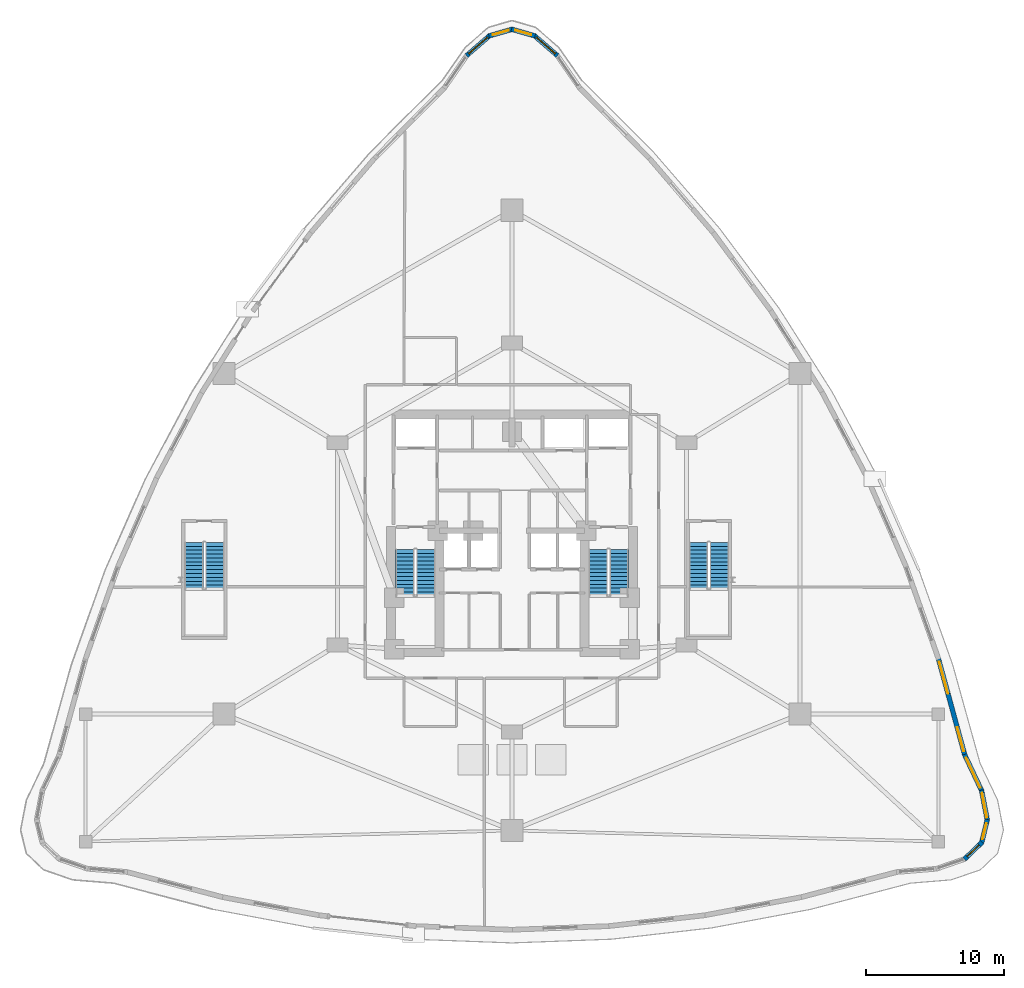
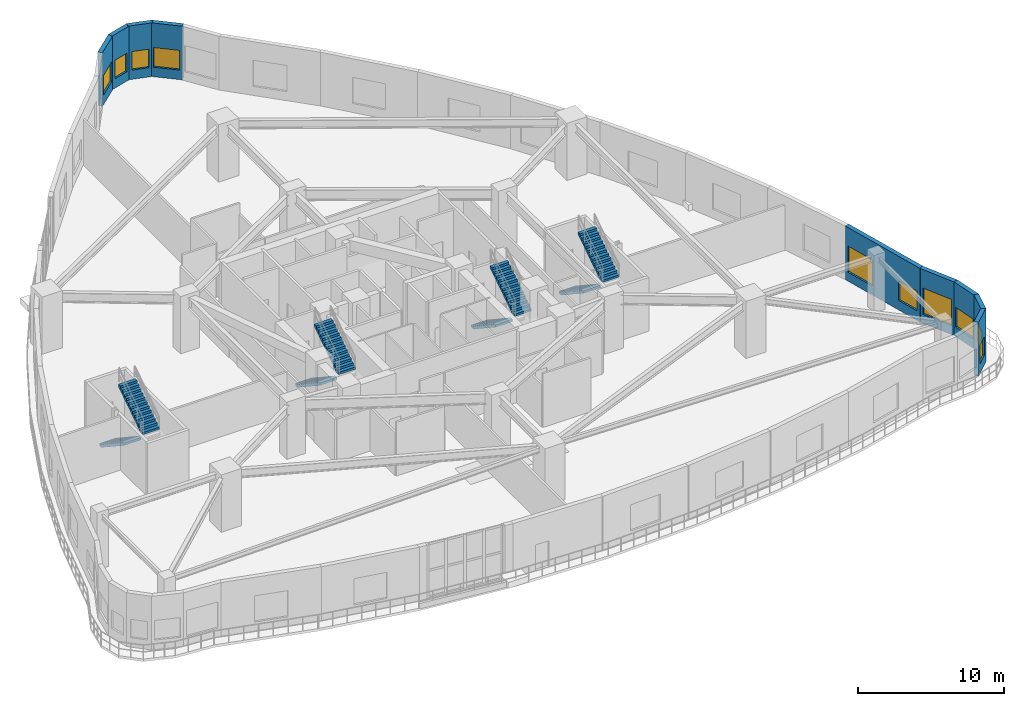
# One storey, part 19 of 23: 10 windows, 9 walls, 8 stair flights, 10 openings, 4 elements without a shape of their own.
"""IFC4 building model written with IfcOpenShell, lengths in metres."""

from ifc_helpers import new_model, si_unit, direction, frame, frame_2d, origin, place, context, subcontext, project, spatial, polyline, rectangle, outline, extrude, material, layer, layer_set, type_object, element, fill, aggregate, save


model = new_model("IFC4")

# Units and contexts
model_context = context("Model", 3, precision=1e-05, world=origin(), true_north=direction((0.0, 1.0)))
body_context = subcontext(model_context, "Body", "Model", "MODEL_VIEW")
ifc_project = project(units=[si_unit("LENGTHUNIT", "METRE"), si_unit("AREAUNIT", "SQUARE_METRE"), si_unit("VOLUMEUNIT", "CUBIC_METRE"), si_unit("PLANEANGLEUNIT", "RADIAN"), si_unit("MASSUNIT", "GRAM", prefix="KILO")], contexts=[model_context])

# Site, building, storey
site_placement = place(None, origin())
site = spatial("IfcSite", under=ifc_project, at=site_placement, CompositionType="ELEMENT")
building_placement = place(site_placement, origin())
building = spatial("IfcBuilding", under=site, at=building_placement, Name="Miruveldt Soraemaru", CompositionType="ELEMENT")
storey_placement = place(building_placement, frame((0.0, 0.0, 9.60009765625)))
storey = spatial("IfcBuildingStorey", under=building, at=storey_placement, Name="L03", CompositionType="ELEMENT", Elevation=9.60009765625)

# Wall, opening, window
ifc_material_1 = material(Name="Precast concrete C45/55 (45 MPa)", Category="concrete")
ifc_layer = layer(ifc_material_1, 0.340087890625, Name="Precast concrete C45/55 (45 MPa)", Category="concrete")
ifc_layer_set = layer_set([ifc_layer], Name="Precast concrete C45/55 (45 MPa)")
wall_type = type_object("IfcWallType", Name="WALL-EXT-PC340", PredefinedType="SOLIDWALL", material=ifc_layer_set)
wall_1_placement = place(storey_placement, frame((47.283935546875, 78.364990234375, 0.0), z_axis=(0.0, 0.0, 1.0), x_axis=(-0.755938883789, 0.654642195383, 0.0)))
wall_1 = element("IfcWall", 1, at=wall_1_placement, inside=storey, type_object=wall_type, Name="L03 Precast Concrete Facade Wall 2", PredefinedType="SOLIDWALL", context=body_context, shape_type="SweptSolid", body=[
    extrude(rectangle(XDim=2.224609375, YDim=0.340087890625, at=frame_2d((1.1123046875, 0.0))), origin(), (0.0, 0.0, 1.0), 4.5),
])
opening_1_placement = place(wall_1_placement, frame((0.212890625, 0.0, 0.800048828125)))
opening_1 = element("IfcOpeningElement", 2, at=opening_1_placement, cuts=wall_1, Name="Opening WN-2", PredefinedType="OPENING", context=body_context, shape_type="SweptSolid", body=[
    extrude(rectangle(XDim=1.800048828125, YDim=1.64990234375, at=frame_2d((0.89990234375, 0.824951171875))), frame((0.0, 0.18017578125, 0.0), z_axis=(0.0, -1.0, 0.0), x_axis=(1.0, 0.0, 0.0)), (0.0, 0.0, 1.0), 0.360107421875),
])
ifc_material_2 = material(Name="Triple low-e insulated glazing", Category="glass")
window_type_1 = type_object("IfcWindowType", Name="WIN-PUNCH-1800x1650", PartitioningType="SINGLE_PANEL", PredefinedType="WINDOW", material=ifc_material_2)
window_1_placement = place(opening_1_placement, origin())
window_1 = element("IfcWindow", 3, at=window_1_placement, inside=storey, type_object=window_type_1, Name="L03 Punched Triple-Glazed Window 02.1", OverallHeight=1.64990234375, OverallWidth=1.800048828125, PartitioningType="SINGLE_PANEL", PredefinedType="WINDOW", context=body_context, shape_type="SweptSolid", body=[
    extrude(rectangle(XDim=1.800048828125, YDim=1.64990234375, at=frame_2d((0.89990234375, 0.824951171875))), frame((0.0, 0.030029296875, 0.0), z_axis=(0.0, -1.0, 0.0), x_axis=(1.0, 0.0, 0.0)), (0.0, 0.0, 1.0), 0.06005859375),
])
fill(opening_1, window_1)

wall_2_placement = place(storey_placement, frame((45.662353515625, 79.78857421875, 0.0), z_axis=(0.0, 0.0, 1.0), x_axis=(-0.96074777297, 0.277423352897, 0.0)))
wall_2 = element("IfcWall", 4, at=wall_2_placement, inside=storey, type_object=wall_type, Name="L03 Precast Concrete Facade Wall 3", PredefinedType="SOLIDWALL", context=body_context, shape_type="SweptSolid", body=[
    extrude(rectangle(XDim=1.765380859375, YDim=0.340087890625, at=frame_2d((0.8828125, 0.0))), origin(), (0.0, 0.0, 1.0), 4.5),
])
opening_2_placement = place(wall_2_placement, frame((0.281982421875, 0.0, 0.780029296875)))
opening_2 = element("IfcOpeningElement", 5, at=opening_2_placement, cuts=wall_2, Name="Opening WN-4", PredefinedType="OPENING", context=body_context, shape_type="SweptSolid", body=[
    extrude(rectangle(XDim=1.199951171875, YDim=1.550048828125, at=frame_2d((0.60009765625, 0.77490234375))), frame((0.0, 0.18017578125, 0.0), z_axis=(0.0, -1.0, 0.0), x_axis=(1.0, 0.0, 0.0)), (0.0, 0.0, 1.0), 0.360107421875),
])
window_type_2 = type_object("IfcWindowType", Name="WIN-PUNCH-1200x1550", PartitioningType="SINGLE_PANEL", PredefinedType="WINDOW", material=ifc_material_2)
window_2_placement = place(opening_2_placement, origin())
window_2 = element("IfcWindow", 6, at=window_2_placement, inside=storey, type_object=window_type_2, Name="L03 Punched Triple-Glazed Window 03.1", OverallHeight=1.550048828125, OverallWidth=1.199951171875, PartitioningType="SINGLE_PANEL", PredefinedType="WINDOW", context=body_context, shape_type="SweptSolid", body=[
    extrude(rectangle(XDim=1.199951171875, YDim=1.550048828125, at=frame_2d((0.60009765625, 0.77490234375))), frame((0.0, 0.030029296875, 0.0), z_axis=(0.0, -1.0, 0.0), x_axis=(1.0, 0.0, 0.0)), (0.0, 0.0, 1.0), 0.06005859375),
])
fill(opening_2, window_2)

wall_3_placement = place(storey_placement, frame((44.03369140625, 80.2783203125, 0.0), z_axis=(0.0, 0.0, 1.0), x_axis=(-0.96074777297, -0.277423352897, 0.0)))
wall_3 = element("IfcWall", 7, at=wall_3_placement, inside=storey, type_object=wall_type, Name="L03 Precast Concrete Facade Wall 4", PredefinedType="SOLIDWALL", context=body_context, shape_type="SweptSolid", body=[
    extrude(rectangle(XDim=1.765380859375, YDim=0.340087890625, at=frame_2d((0.8828125, 0.0))), origin(), (0.0, 0.0, 1.0), 4.5),
])
opening_3_placement = place(wall_3_placement, frame((0.281982421875, 0.0, 0.780029296875)))
opening_3 = element("IfcOpeningElement", 8, at=opening_3_placement, cuts=wall_3, Name="Opening WN-4", PredefinedType="OPENING", context=body_context, shape_type="SweptSolid", body=[
    extrude(rectangle(XDim=1.199951171875, YDim=1.550048828125, at=frame_2d((0.60009765625, 0.77490234375))), frame((0.0, 0.18017578125, 0.0), z_axis=(0.0, -1.0, 0.0), x_axis=(1.0, 0.0, 0.0)), (0.0, 0.0, 1.0), 0.360107421875),
])
window_3_placement = place(opening_3_placement, origin())
window_3 = element("IfcWindow", 9, at=window_3_placement, inside=storey, type_object=window_type_2, Name="L03 Punched Triple-Glazed Window 04.1", OverallHeight=1.550048828125, OverallWidth=1.199951171875, PartitioningType="SINGLE_PANEL", PredefinedType="WINDOW", context=body_context, shape_type="SweptSolid", body=[
    extrude(rectangle(XDim=1.199951171875, YDim=1.550048828125, at=frame_2d((0.60009765625, 0.77490234375))), frame((0.0, 0.030029296875, 0.0), z_axis=(0.0, -1.0, 0.0), x_axis=(1.0, 0.0, 0.0)), (0.0, 0.0, 1.0), 0.06005859375),
])
fill(opening_3, window_3)

wall_4_placement = place(storey_placement, frame((42.397705078125, 79.8212890625, 0.0), z_axis=(0.0, 0.0, 1.0), x_axis=(-0.755938883789, -0.654642195383, 0.0)))
wall_4 = element("IfcWall", 10, at=wall_4_placement, inside=storey, type_object=wall_type, Name="L03 Precast Concrete Facade Wall 5", PredefinedType="SOLIDWALL", context=body_context, shape_type="SweptSolid", body=[
    extrude(rectangle(XDim=2.224609375, YDim=0.340087890625, at=frame_2d((1.1123046875, 0.0))), origin(), (0.0, 0.0, 1.0), 4.5),
])
opening_4_placement = place(wall_4_placement, frame((0.212890625, 0.0, 0.800048828125)))
opening_4 = element("IfcOpeningElement", 11, at=opening_4_placement, cuts=wall_4, Name="Opening WN-2", PredefinedType="OPENING", context=body_context, shape_type="SweptSolid", body=[
    extrude(rectangle(XDim=1.800048828125, YDim=1.64990234375, at=frame_2d((0.89990234375, 0.824951171875))), frame((0.0, 0.18017578125, 0.0), z_axis=(0.0, -1.0, 0.0), x_axis=(1.0, 0.0, 0.0)), (0.0, 0.0, 1.0), 0.360107421875),
])
window_4_placement = place(opening_4_placement, origin())
window_4 = element("IfcWindow", 12, at=window_4_placement, inside=storey, type_object=window_type_1, Name="L03 Punched Triple-Glazed Window 05.1", OverallHeight=1.64990234375, OverallWidth=1.800048828125, PartitioningType="SINGLE_PANEL", PredefinedType="WINDOW", context=body_context, shape_type="SweptSolid", body=[
    extrude(rectangle(XDim=1.800048828125, YDim=1.64990234375, at=frame_2d((0.89990234375, 0.824951171875))), frame((0.0, 0.030029296875, 0.0), z_axis=(0.0, -1.0, 0.0), x_axis=(1.0, 0.0, 0.0)), (0.0, 0.0, 1.0), 0.06005859375),
])
fill(opening_4, window_4)

wall_5_placement = place(storey_placement, frame((76.67431640625, 20.31591796875, 0.0), z_axis=(0.0, 0.0, 1.0), x_axis=(0.720463529959, 0.693492827648, 0.0)))
wall_5 = element("IfcWall", 13, at=wall_5_placement, inside=storey, type_object=wall_type, Name="L03 Precast Concrete Facade Wall 31", PredefinedType="SOLIDWALL", context=body_context, shape_type="SweptSolid", body=[
    extrude(rectangle(XDim=1.76513671875, YDim=0.340087890625, at=frame_2d((0.882568359375, 0.0))), origin(), (0.0, 0.0, 1.0), 4.5),
])
opening_5_placement = place(wall_5_placement, frame((0.281982421875, 0.0, 0.780029296875)))
opening_5 = element("IfcOpeningElement", 14, at=opening_5_placement, cuts=wall_5, Name="Opening WN-4", PredefinedType="OPENING", context=body_context, shape_type="SweptSolid", body=[
    extrude(rectangle(XDim=1.199951171875, YDim=1.550048828125, at=frame_2d((0.60009765625, 0.77490234375))), frame((0.0, 0.18017578125, 0.0), z_axis=(0.0, -1.0, 0.0), x_axis=(1.0, 0.0, 0.0)), (0.0, 0.0, 1.0), 0.360107421875),
])
window_5_placement = place(opening_5_placement, origin())
window_5 = element("IfcWindow", 15, at=window_5_placement, inside=storey, type_object=window_type_2, Name="L03 Punched Triple-Glazed Window 31.1", OverallHeight=1.550048828125, OverallWidth=1.199951171875, PartitioningType="SINGLE_PANEL", PredefinedType="WINDOW", context=body_context, shape_type="SweptSolid", body=[
    extrude(rectangle(XDim=1.199951171875, YDim=1.550048828125, at=frame_2d((0.60009765625, 0.77490234375))), frame((0.0, 0.030029296875, 0.0), z_axis=(0.0, -1.0, 0.0), x_axis=(1.0, 0.0, 0.0)), (0.0, 0.0, 1.0), 0.06005859375),
])
fill(opening_5, window_5)

wall_6_placement = place(storey_placement, frame((77.91259765625, 21.481689453125, 0.0), z_axis=(0.0, 0.0, 1.0), x_axis=(0.240094214254, 0.970749590925, 0.0)))
wall_6 = element("IfcWall", 16, at=wall_6_placement, inside=storey, type_object=wall_type, Name="L03 Precast Concrete Facade Wall 32", PredefinedType="SOLIDWALL", context=body_context, shape_type="SweptSolid", body=[
    extrude(rectangle(XDim=1.76513671875, YDim=0.340087890625, at=frame_2d((0.882568359375, 0.0))), origin(), (0.0, 0.0, 1.0), 4.5),
])
opening_6_placement = place(wall_6_placement, frame((0.281982421875, 0.0, 0.780029296875)))
opening_6 = element("IfcOpeningElement", 17, at=opening_6_placement, cuts=wall_6, Name="Opening WN-4", PredefinedType="OPENING", context=body_context, shape_type="SweptSolid", body=[
    extrude(rectangle(XDim=1.199951171875, YDim=1.550048828125, at=frame_2d((0.60009765625, 0.77490234375))), frame((0.0, 0.18017578125, 0.0), z_axis=(0.0, -1.0, 0.0), x_axis=(1.0, 0.0, 0.0)), (0.0, 0.0, 1.0), 0.360107421875),
])
window_6_placement = place(opening_6_placement, origin())
window_6 = element("IfcWindow", 18, at=window_6_placement, inside=storey, type_object=window_type_2, Name="L03 Punched Triple-Glazed Window 32.1", OverallHeight=1.550048828125, OverallWidth=1.199951171875, PartitioningType="SINGLE_PANEL", PredefinedType="WINDOW", context=body_context, shape_type="SweptSolid", body=[
    extrude(rectangle(XDim=1.199951171875, YDim=1.550048828125, at=frame_2d((0.60009765625, 0.77490234375))), frame((0.0, 0.030029296875, 0.0), z_axis=(0.0, -1.0, 0.0), x_axis=(1.0, 0.0, 0.0)), (0.0, 0.0, 1.0), 0.06005859375),
])
fill(opening_6, window_6)

wall_7_placement = place(storey_placement, frame((78.334716796875, 23.126953125, 0.0), z_axis=(0.0, 0.0, 1.0), x_axis=(-0.188977643446, 0.981981389985, 0.0)))
wall_7 = element("IfcWall", 19, at=wall_7_placement, inside=storey, type_object=wall_type, Name="L03 Precast Concrete Facade Wall 33", PredefinedType="SOLIDWALL", context=body_context, shape_type="SweptSolid", body=[
    extrude(rectangle(XDim=2.224609375, YDim=0.340087890625, at=frame_2d((1.1123046875, 0.0))), origin(), (0.0, 0.0, 1.0), 4.5),
])
opening_7_placement = place(wall_7_placement, frame((0.212890625, 0.0, 0.800048828125)))
opening_7 = element("IfcOpeningElement", 20, at=opening_7_placement, cuts=wall_7, Name="Opening WN-2", PredefinedType="OPENING", context=body_context, shape_type="SweptSolid", body=[
    extrude(rectangle(XDim=1.800048828125, YDim=1.64990234375, at=frame_2d((0.89990234375, 0.824951171875))), frame((0.0, 0.18017578125, 0.0), z_axis=(0.0, -1.0, 0.0), x_axis=(1.0, 0.0, 0.0)), (0.0, 0.0, 1.0), 0.360107421875),
])
window_7_placement = place(opening_7_placement, origin())
window_7 = element("IfcWindow", 21, at=window_7_placement, inside=storey, type_object=window_type_1, Name="L03 Punched Triple-Glazed Window 33.1", OverallHeight=1.64990234375, OverallWidth=1.800048828125, PartitioningType="SINGLE_PANEL", PredefinedType="WINDOW", context=body_context, shape_type="SweptSolid", body=[
    extrude(rectangle(XDim=1.800048828125, YDim=1.64990234375, at=frame_2d((0.89990234375, 0.824951171875))), frame((0.0, 0.030029296875, 0.0), z_axis=(0.0, -1.0, 0.0), x_axis=(1.0, 0.0, 0.0)), (0.0, 0.0, 1.0), 0.06005859375),
])
fill(opening_7, window_7)

wall_8_placement = place(storey_placement, frame((77.935791015625, 25.24560546875, 0.0), z_axis=(0.0, 0.0, 1.0), x_axis=(-0.427100944195, 0.90420395015, 0.0)))
wall_8 = element("IfcWall", 22, at=wall_8_placement, inside=storey, type_object=wall_type, Name="L03 Precast Concrete Facade Wall 34", PredefinedType="SOLIDWALL", context=body_context, shape_type="SweptSolid", body=[
    extrude(rectangle(XDim=2.9296875, YDim=0.340087890625, at=frame_2d((1.46484375, 0.0))), origin(), (0.0, 0.0, 1.0), 4.5),
])
opening_8_placement = place(wall_8_placement, frame((0.264892578125, 0.0, 0.75)))
opening_8 = element("IfcOpeningElement", 23, at=opening_8_placement, cuts=wall_8, Name="Opening WN-5", PredefinedType="OPENING", context=body_context, shape_type="SweptSolid", body=[
    extrude(rectangle(XDim=2.39990234375, YDim=2.199951171875, at=frame_2d((1.199951171875, 1.10009765625))), frame((0.0, 0.18017578125, 0.0), z_axis=(0.0, -1.0, 0.0), x_axis=(1.0, 0.0, 0.0)), (0.0, 0.0, 1.0), 0.360107421875),
])
window_type_3 = type_object("IfcWindowType", Name="WIN-PODM-2400x2200", PartitioningType="SINGLE_PANEL", PredefinedType="WINDOW", material=ifc_material_2)
window_8_placement = place(opening_8_placement, origin())
window_8 = element("IfcWindow", 24, at=window_8_placement, inside=storey, type_object=window_type_3, Name="L03 Punched Triple-Glazed Window 34.1", OverallHeight=2.199951171875, OverallWidth=2.39990234375, PartitioningType="SINGLE_PANEL", PredefinedType="WINDOW", context=body_context, shape_type="SweptSolid", body=[
    extrude(rectangle(XDim=2.39990234375, YDim=2.199951171875, at=frame_2d((1.199951171875, 1.10009765625))), frame((0.0, 0.030029296875, 0.0), z_axis=(0.0, -1.0, 0.0), x_axis=(1.0, 0.0, 0.0)), (0.0, 0.0, 1.0), 0.06005859375),
])
fill(opening_8, window_8)

# Wall, openings, windows
wall_9_placement = place(storey_placement, frame((76.70849609375, 27.8291015625, 0.0), z_axis=(0.0, 0.0, 1.0), x_axis=(-0.263709281195, 0.964602205581, 0.0)))
wall_9 = element("IfcWall", 25, at=wall_9_placement, inside=storey, type_object=wall_type, Name="L03 Precast Concrete Facade Wall 35", PredefinedType="SOLIDWALL", context=body_context, shape_type="SweptSolid", body=[
    extrude(rectangle(XDim=7.25927734375, YDim=0.340087890625, at=frame_2d((3.629638671875, 0.0))), origin(), (0.0, 0.0, 1.0), 4.5),
])
opening_9_placement = place(wall_9_placement, frame((0.299072265625, 0.0, 0.800048828125)))
opening_9 = element("IfcOpeningElement", 26, at=opening_9_placement, cuts=wall_9, Name="Opening WN-2", PredefinedType="OPENING", context=body_context, shape_type="SweptSolid", body=[
    extrude(rectangle(XDim=1.800048828125, YDim=1.64990234375, at=frame_2d((0.89990234375, 0.824951171875))), frame((0.0, 0.18017578125, 0.0), z_axis=(0.0, -1.0, 0.0), x_axis=(1.0, 0.0, 0.0)), (0.0, 0.0, 1.0), 0.360107421875),
])
opening_10_placement = place(wall_9_placement, frame((4.59912109375, 0.0, 0.75)))
opening_10 = element("IfcOpeningElement", 27, at=opening_10_placement, cuts=wall_9, Name="Opening WN-5", PredefinedType="OPENING", context=body_context, shape_type="SweptSolid", body=[
    extrude(rectangle(XDim=2.39990234375, YDim=2.199951171875, at=frame_2d((1.199951171875, 1.10009765625))), frame((0.0, 0.18017578125, 0.0), z_axis=(0.0, -1.0, 0.0), x_axis=(1.0, 0.0, 0.0)), (0.0, 0.0, 1.0), 0.360107421875),
])
window_9_placement = place(opening_10_placement, origin())
window_9 = element("IfcWindow", 28, at=window_9_placement, inside=storey, type_object=window_type_3, Name="L03 Punched Triple-Glazed Window 35.2", OverallHeight=2.199951171875, OverallWidth=2.39990234375, PartitioningType="SINGLE_PANEL", PredefinedType="WINDOW", context=body_context, shape_type="SweptSolid", body=[
    extrude(rectangle(XDim=2.39990234375, YDim=2.199951171875, at=frame_2d((1.199951171875, 1.10009765625))), frame((0.0, 0.030029296875, 0.0), z_axis=(0.0, -1.0, 0.0), x_axis=(1.0, 0.0, 0.0)), (0.0, 0.0, 1.0), 0.06005859375),
])
fill(opening_10, window_9)
window_10_placement = place(opening_9_placement, origin())
window_10 = element("IfcWindow", 29, at=window_10_placement, inside=storey, type_object=window_type_1, Name="L03 Punched Triple-Glazed Window 35.1", OverallHeight=1.64990234375, OverallWidth=1.800048828125, PartitioningType="SINGLE_PANEL", PredefinedType="WINDOW", context=body_context, shape_type="SweptSolid", body=[
    extrude(rectangle(XDim=1.800048828125, YDim=1.64990234375, at=frame_2d((0.89990234375, 0.824951171875))), frame((0.0, 0.030029296875, 0.0), z_axis=(0.0, -1.0, 0.0), x_axis=(1.0, 0.0, 0.0)), (0.0, 0.0, 1.0), 0.06005859375),
])
fill(opening_9, window_10)

# Stair, stair flights
ifc_material_3 = material(Name="Concrete C40/50 (40 MPa)", Category="concrete")
stair_type_1 = type_object("IfcStairType", Name="STAIR-DL-480", PredefinedType="HALF_TURN_STAIR", material=ifc_material_3)
stair_1_placement = place(storey_placement, origin())
stair_1 = element("IfcStair", 30, at=stair_1_placement, inside=storey, type_object=stair_type_1, Name="L03 Protected Exit Stair ST-1", PredefinedType="HALF_TURN_STAIR")
stair_flight_type_1 = type_object("IfcStairFlightType", Name="SFL-DL-480", PredefinedType="STRAIGHT", material=ifc_material_3)
stair_flight_1_placement = place(storey_placement, frame((36.27490234375, 42.699951171875, 0.0), z_axis=(0.0, 0.0, 1.0), x_axis=(0.0, -1.0, 0.0)))
stair_flight_1 = element("IfcStairFlight", 31, at=stair_flight_1_placement, type_object=stair_flight_type_1, Name="ST-1 flight 1", NumberOfRisers=13, NumberOfTreads=12, PredefinedType="STRAIGHT", RiserHeight=0.184615385, TreadLength=0.28, context=body_context, shape_type="SweptSolid", body=[
    extrude(outline(polyline([(0.0, 0.0), (0.0, 0.1845703125), (0.280029296875, 0.1845703125), (0.280029296875, 0.369140625), (0.56005859375, 0.369140625), (0.56005859375, 0.553955078125), (0.840087890625, 0.553955078125), (0.840087890625, 0.738525390625), (1.1201171875, 0.738525390625), (1.1201171875, 0.923095703125), (1.39990234375, 0.923095703125), (1.39990234375, 1.107666015625), (1.679931640625, 1.107666015625), (1.679931640625, 1.292236328125), (1.9599609375, 1.292236328125), (1.9599609375, 1.476806640625), (2.239990234375, 1.476806640625), (2.239990234375, 1.66162109375), (2.52001953125, 1.66162109375), (2.52001953125, 1.84619140625), (2.800048828125, 1.84619140625), (2.800048828125, 2.03076171875), (3.080078125, 2.03076171875), (3.080078125, 2.21533203125), (3.360107421875, 2.21533203125), (3.360107421875, 2.39990234375), (3.360107421875, 2.02392578125), (0.29052734375, 0.0), (0.0, 0.0)])), frame((0.0, 0.675048828125, 0.0), z_axis=(0.0, -1.0, 0.0), x_axis=(1.0, 0.0, 0.0)), (0.0, 0.0, 1.0), 1.35009765625),
])
stair_flight_2_placement = place(storey_placement, frame((37.77490234375, 39.340087890625, 2.39990234375), z_axis=(0.0, 0.0, 1.0), x_axis=(0.0, 1.0, 0.0)))
stair_flight_2 = element("IfcStairFlight", 32, at=stair_flight_2_placement, type_object=stair_flight_type_1, Name="ST-1 flight 2", NumberOfRisers=13, NumberOfTreads=12, PredefinedType="STRAIGHT", RiserHeight=0.184615385, TreadLength=0.28, context=body_context, shape_type="SweptSolid", body=[
    extrude(outline(polyline([(0.0, 0.0), (0.0, 0.1845703125), (0.280029296875, 0.1845703125), (0.280029296875, 0.369140625), (0.56005859375, 0.369140625), (0.56005859375, 0.553955078125), (0.840087890625, 0.553955078125), (0.840087890625, 0.738525390625), (1.1201171875, 0.738525390625), (1.1201171875, 0.923095703125), (1.39990234375, 0.923095703125), (1.39990234375, 1.107666015625), (1.679931640625, 1.107666015625), (1.679931640625, 1.292236328125), (1.9599609375, 1.292236328125), (1.9599609375, 1.476806640625), (2.239990234375, 1.476806640625), (2.239990234375, 1.66162109375), (2.52001953125, 1.66162109375), (2.52001953125, 1.84619140625), (2.800048828125, 1.84619140625), (2.800048828125, 2.03076171875), (3.080078125, 2.03076171875), (3.080078125, 2.21533203125), (3.360107421875, 2.21533203125), (3.360107421875, 2.39990234375), (3.360107421875, 2.02392578125), (0.29052734375, 0.0), (0.0, 0.0)])), frame((0.0, 0.675048828125, 0.0), z_axis=(0.0, -1.0, 0.0), x_axis=(1.0, 0.0, 0.0)), (0.0, 0.0, 1.0), 1.35009765625),
])
aggregate(stair_1, [stair_flight_1, stair_flight_2])

stair_2_placement = place(storey_placement, origin())
stair_2 = element("IfcStair", 33, at=stair_2_placement, inside=storey, type_object=stair_type_1, Name="L03 Protected Exit Stair ST-2", PredefinedType="HALF_TURN_STAIR")
stair_flight_3_placement = place(storey_placement, frame((50.22509765625, 42.699951171875, 0.0), z_axis=(0.0, 0.0, 1.0), x_axis=(0.0, -1.0, 0.0)))
stair_flight_3 = element("IfcStairFlight", 34, at=stair_flight_3_placement, type_object=stair_flight_type_1, Name="ST-2 flight 1", NumberOfRisers=13, NumberOfTreads=12, PredefinedType="STRAIGHT", RiserHeight=0.184615385, TreadLength=0.28, context=body_context, shape_type="SweptSolid", body=[
    extrude(outline(polyline([(0.0, 0.0), (0.0, 0.1845703125), (0.280029296875, 0.1845703125), (0.280029296875, 0.369140625), (0.56005859375, 0.369140625), (0.56005859375, 0.553955078125), (0.840087890625, 0.553955078125), (0.840087890625, 0.738525390625), (1.1201171875, 0.738525390625), (1.1201171875, 0.923095703125), (1.39990234375, 0.923095703125), (1.39990234375, 1.107666015625), (1.679931640625, 1.107666015625), (1.679931640625, 1.292236328125), (1.9599609375, 1.292236328125), (1.9599609375, 1.476806640625), (2.239990234375, 1.476806640625), (2.239990234375, 1.66162109375), (2.52001953125, 1.66162109375), (2.52001953125, 1.84619140625), (2.800048828125, 1.84619140625), (2.800048828125, 2.03076171875), (3.080078125, 2.03076171875), (3.080078125, 2.21533203125), (3.360107421875, 2.21533203125), (3.360107421875, 2.39990234375), (3.360107421875, 2.02392578125), (0.29052734375, 0.0), (0.0, 0.0)])), frame((0.0, 0.675048828125, 0.0), z_axis=(0.0, -1.0, 0.0), x_axis=(1.0, 0.0, 0.0)), (0.0, 0.0, 1.0), 1.35009765625),
])
stair_flight_4_placement = place(storey_placement, frame((51.72509765625, 39.340087890625, 2.39990234375), z_axis=(0.0, 0.0, 1.0), x_axis=(0.0, 1.0, 0.0)))
stair_flight_4 = element("IfcStairFlight", 35, at=stair_flight_4_placement, type_object=stair_flight_type_1, Name="ST-2 flight 2", NumberOfRisers=13, NumberOfTreads=12, PredefinedType="STRAIGHT", RiserHeight=0.184615385, TreadLength=0.28, context=body_context, shape_type="SweptSolid", body=[
    extrude(outline(polyline([(0.0, 0.0), (0.0, 0.1845703125), (0.280029296875, 0.1845703125), (0.280029296875, 0.369140625), (0.56005859375, 0.369140625), (0.56005859375, 0.553955078125), (0.840087890625, 0.553955078125), (0.840087890625, 0.738525390625), (1.1201171875, 0.738525390625), (1.1201171875, 0.923095703125), (1.39990234375, 0.923095703125), (1.39990234375, 1.107666015625), (1.679931640625, 1.107666015625), (1.679931640625, 1.292236328125), (1.9599609375, 1.292236328125), (1.9599609375, 1.476806640625), (2.239990234375, 1.476806640625), (2.239990234375, 1.66162109375), (2.52001953125, 1.66162109375), (2.52001953125, 1.84619140625), (2.800048828125, 1.84619140625), (2.800048828125, 2.03076171875), (3.080078125, 2.03076171875), (3.080078125, 2.21533203125), (3.360107421875, 2.21533203125), (3.360107421875, 2.39990234375), (3.360107421875, 2.02392578125), (0.29052734375, 0.0), (0.0, 0.0)])), frame((0.0, 0.675048828125, 0.0), z_axis=(0.0, -1.0, 0.0), x_axis=(1.0, 0.0, 0.0)), (0.0, 0.0, 1.0), 1.35009765625),
])
aggregate(stair_2, [stair_flight_3, stair_flight_4])

stair_3_placement = place(storey_placement, origin())
stair_3 = element("IfcStair", 36, at=stair_3_placement, inside=storey, type_object=stair_type_1, Name="L03 Podium Protected Exit Stair ST-3", PredefinedType="HALF_TURN_STAIR")
stair_flight_5_placement = place(storey_placement, frame((21.02490234375, 43.199951171875, 0.0), z_axis=(0.0, 0.0, 1.0), x_axis=(0.0, -1.0, 0.0)))
stair_flight_5 = element("IfcStairFlight", 37, at=stair_flight_5_placement, type_object=stair_flight_type_1, Name="ST-3 flight 1", NumberOfRisers=13, NumberOfTreads=12, PredefinedType="STRAIGHT", RiserHeight=0.184615385, TreadLength=0.28, context=body_context, shape_type="SweptSolid", body=[
    extrude(outline(polyline([(0.0, 0.0), (0.0, 0.1845703125), (0.280029296875, 0.1845703125), (0.280029296875, 0.369140625), (0.56005859375, 0.369140625), (0.56005859375, 0.553955078125), (0.840087890625, 0.553955078125), (0.840087890625, 0.738525390625), (1.1201171875, 0.738525390625), (1.1201171875, 0.923095703125), (1.39990234375, 0.923095703125), (1.39990234375, 1.107666015625), (1.679931640625, 1.107666015625), (1.679931640625, 1.292236328125), (1.9599609375, 1.292236328125), (1.9599609375, 1.476806640625), (2.239990234375, 1.476806640625), (2.239990234375, 1.66162109375), (2.52001953125, 1.66162109375), (2.52001953125, 1.84619140625), (2.800048828125, 1.84619140625), (2.800048828125, 2.03076171875), (3.080078125, 2.03076171875), (3.080078125, 2.21533203125), (3.360107421875, 2.21533203125), (3.360107421875, 2.39990234375), (3.360107421875, 2.02392578125), (0.29052734375, 0.0), (0.0, 0.0)])), frame((0.0, 0.675048828125, 0.0), z_axis=(0.0, -1.0, 0.0), x_axis=(1.0, 0.0, 0.0)), (0.0, 0.0, 1.0), 1.35009765625),
])
stair_flight_6_placement = place(storey_placement, frame((22.52490234375, 39.840087890625, 2.39990234375), z_axis=(0.0, 0.0, 1.0), x_axis=(0.0, 1.0, 0.0)))
stair_flight_6 = element("IfcStairFlight", 38, at=stair_flight_6_placement, type_object=stair_flight_type_1, Name="ST-3 flight 2", NumberOfRisers=13, NumberOfTreads=12, PredefinedType="STRAIGHT", RiserHeight=0.184615385, TreadLength=0.28, context=body_context, shape_type="SweptSolid", body=[
    extrude(outline(polyline([(0.0, 0.0), (0.0, 0.1845703125), (0.280029296875, 0.1845703125), (0.280029296875, 0.369140625), (0.56005859375, 0.369140625), (0.56005859375, 0.553955078125), (0.840087890625, 0.553955078125), (0.840087890625, 0.738525390625), (1.1201171875, 0.738525390625), (1.1201171875, 0.923095703125), (1.39990234375, 0.923095703125), (1.39990234375, 1.107666015625), (1.679931640625, 1.107666015625), (1.679931640625, 1.292236328125), (1.9599609375, 1.292236328125), (1.9599609375, 1.476806640625), (2.239990234375, 1.476806640625), (2.239990234375, 1.66162109375), (2.52001953125, 1.66162109375), (2.52001953125, 1.84619140625), (2.800048828125, 1.84619140625), (2.800048828125, 2.03076171875), (3.080078125, 2.03076171875), (3.080078125, 2.21533203125), (3.360107421875, 2.21533203125), (3.360107421875, 2.39990234375), (3.360107421875, 2.02392578125), (0.29052734375, 0.0), (0.0, 0.0)])), frame((0.0, 0.675048828125, 0.0), z_axis=(0.0, -1.0, 0.0), x_axis=(1.0, 0.0, 0.0)), (0.0, 0.0, 1.0), 1.35009765625),
])
aggregate(stair_3, [stair_flight_5, stair_flight_6])

ifc_material_4 = material(Name="Steel S355 (355 MPa)", Category="steel")
stair_type_2 = type_object("IfcStairType", Name="STAIR-FEAT-STR", PredefinedType="TWO_STRAIGHT_RUN_STAIR", material=ifc_material_4)
stair_4_placement = place(storey_placement, origin())
stair_4 = element("IfcStair", 39, at=stair_4_placement, inside=storey, type_object=stair_type_2, Name="L03 Podium Garden Feature Stair ST-4", PredefinedType="TWO_STRAIGHT_RUN_STAIR")
stair_flight_type_2 = type_object("IfcStairFlightType", Name="SFL-FEAT-STR", PredefinedType="STRAIGHT", material=ifc_material_4)
stair_flight_7_placement = place(storey_placement, frame((57.47509765625, 43.199951171875, 0.0), z_axis=(0.0, 0.0, 1.0), x_axis=(0.0, -1.0, 0.0)))
stair_flight_7 = element("IfcStairFlight", 40, at=stair_flight_7_placement, type_object=stair_flight_type_2, Name="ST-4 flight 1", NumberOfRisers=13, NumberOfTreads=12, PredefinedType="STRAIGHT", RiserHeight=0.184615385, TreadLength=0.28, context=body_context, shape_type="SweptSolid", body=[
    extrude(outline(polyline([(0.0, 0.0), (0.0, 0.1845703125), (0.280029296875, 0.1845703125), (0.280029296875, 0.369140625), (0.56005859375, 0.369140625), (0.56005859375, 0.553955078125), (0.840087890625, 0.553955078125), (0.840087890625, 0.738525390625), (1.1201171875, 0.738525390625), (1.1201171875, 0.923095703125), (1.39990234375, 0.923095703125), (1.39990234375, 1.107666015625), (1.679931640625, 1.107666015625), (1.679931640625, 1.292236328125), (1.9599609375, 1.292236328125), (1.9599609375, 1.476806640625), (2.239990234375, 1.476806640625), (2.239990234375, 1.66162109375), (2.52001953125, 1.66162109375), (2.52001953125, 1.84619140625), (2.800048828125, 1.84619140625), (2.800048828125, 2.03076171875), (3.080078125, 2.03076171875), (3.080078125, 2.21533203125), (3.360107421875, 2.21533203125), (3.360107421875, 2.39990234375), (3.360107421875, 2.02392578125), (0.29052734375, 0.0), (0.0, 0.0)])), frame((0.0, 0.675048828125, 0.0), z_axis=(0.0, -1.0, 0.0), x_axis=(1.0, 0.0, 0.0)), (0.0, 0.0, 1.0), 1.35009765625),
])
stair_flight_8_placement = place(storey_placement, frame((58.97509765625, 39.840087890625, 2.39990234375), z_axis=(0.0, 0.0, 1.0), x_axis=(0.0, 1.0, 0.0)))
stair_flight_8 = element("IfcStairFlight", 41, at=stair_flight_8_placement, type_object=stair_flight_type_2, Name="ST-4 flight 2", NumberOfRisers=13, NumberOfTreads=12, PredefinedType="STRAIGHT", RiserHeight=0.184615385, TreadLength=0.28, context=body_context, shape_type="SweptSolid", body=[
    extrude(outline(polyline([(0.0, 0.0), (0.0, 0.1845703125), (0.280029296875, 0.1845703125), (0.280029296875, 0.369140625), (0.56005859375, 0.369140625), (0.56005859375, 0.553955078125), (0.840087890625, 0.553955078125), (0.840087890625, 0.738525390625), (1.1201171875, 0.738525390625), (1.1201171875, 0.923095703125), (1.39990234375, 0.923095703125), (1.39990234375, 1.107666015625), (1.679931640625, 1.107666015625), (1.679931640625, 1.292236328125), (1.9599609375, 1.292236328125), (1.9599609375, 1.476806640625), (2.239990234375, 1.476806640625), (2.239990234375, 1.66162109375), (2.52001953125, 1.66162109375), (2.52001953125, 1.84619140625), (2.800048828125, 1.84619140625), (2.800048828125, 2.03076171875), (3.080078125, 2.03076171875), (3.080078125, 2.21533203125), (3.360107421875, 2.21533203125), (3.360107421875, 2.39990234375), (3.360107421875, 2.02392578125), (0.29052734375, 0.0), (0.0, 0.0)])), frame((0.0, 0.675048828125, 0.0), z_axis=(0.0, -1.0, 0.0), x_axis=(1.0, 0.0, 0.0)), (0.0, 0.0, 1.0), 1.35009765625),
])
aggregate(stair_4, [stair_flight_7, stair_flight_8])

save(model, "model.ifc")
